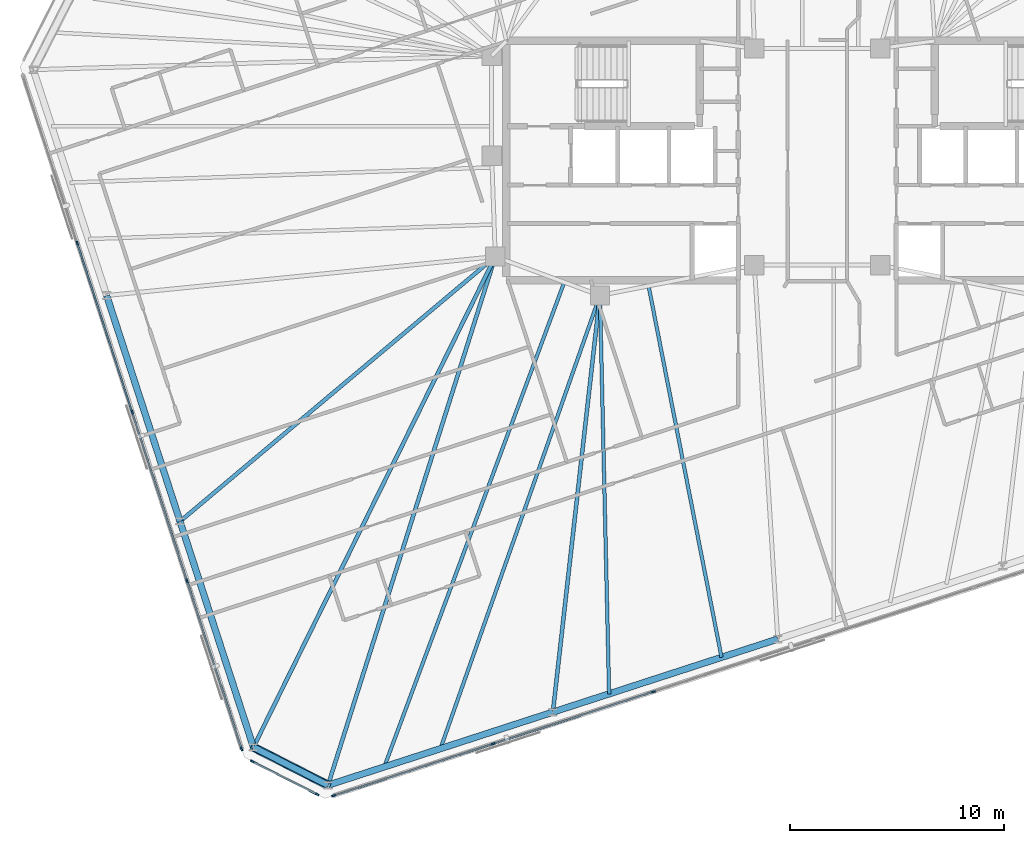
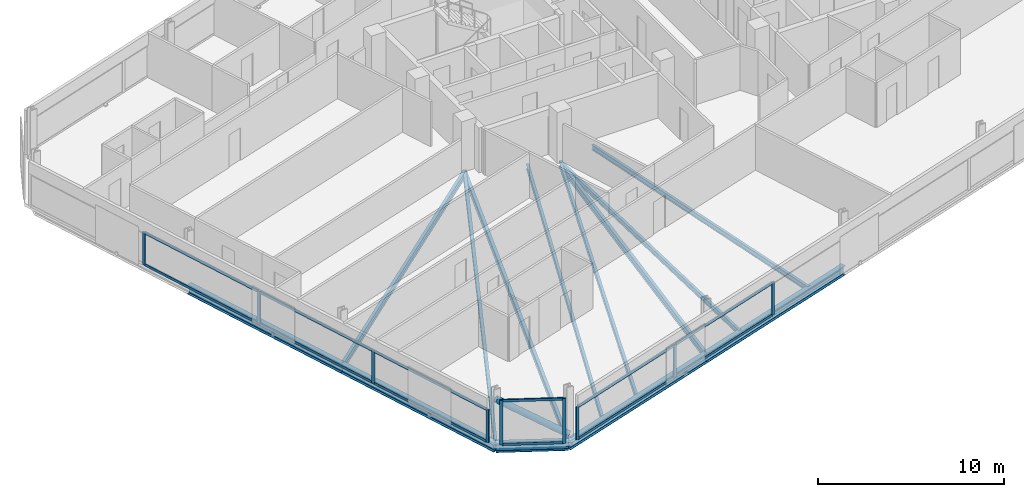
# One storey, part 5 of 19: 22 members, 13 beams, 3 elements without a shape of their own.
"""IFC4 building model written with IfcOpenShell, lengths in metres."""

from ifc_helpers import new_model, si_unit, direction, frame, origin, origin_2d, place, context, subcontext, project, spatial, rectangle, hollow_circle, i_section, extrude, material, material_profile, profile_set, type_object, element, aggregate, save


model = new_model("IFC4")

# Units and contexts
model_context = context("Model", 3, precision=1e-05, world=origin(), true_north=direction((0.0, 1.0)))
body_context = subcontext(model_context, "Body", "Model", "MODEL_VIEW")
ifc_project = project(units=[si_unit("LENGTHUNIT", "METRE"), si_unit("AREAUNIT", "SQUARE_METRE"), si_unit("VOLUMEUNIT", "CUBIC_METRE"), si_unit("PLANEANGLEUNIT", "RADIAN"), si_unit("MASSUNIT", "GRAM", prefix="KILO")], contexts=[model_context])

# Site, building, storey
site_placement = place(None, origin())
site = spatial("IfcSite", under=ifc_project, at=site_placement, CompositionType="ELEMENT")
building_placement = place(site_placement, origin())
building = spatial("IfcBuilding", under=site, at=building_placement, Name="Menara Jurai Vektor", CompositionType="ELEMENT")
storey_placement = place(building_placement, frame((0.0, 0.0, 251.10009765625)))
storey = spatial("IfcBuildingStorey", under=building, at=storey_placement, Name="L67", CompositionType="ELEMENT", Elevation=251.10009765625)

# Curtain wall, members
ifc_material_1 = material(Name="Anodised Pale Aluminium & Low-E Double Glazing", Category="aluminium")
curtain_wall_type = type_object("IfcCurtainWallType", Name="CW-BLK4", PredefinedType="NOTDEFINED", material=ifc_material_1)
curtain_wall_1_placement = place(storey_placement, origin())
curtain_wall_1 = element("IfcCurtainWall", 1, at=curtain_wall_1_placement, inside=storey, type_object=curtain_wall_type, Name="Unitised Curtain Wall L67 F01", PredefinedType="NOTDEFINED")
ifc_material_2 = material(Name="Anodised Pale Aluminium Mullion", Category="aluminium")
ifc_material_profile_1 = material_profile(ifc_material_2, rectangle(XDim=0.080078125, YDim=0.18994140625, at=origin_2d()), Name="ALU MUL 80x190")
ifc_profile_set_1 = profile_set([ifc_material_profile_1], Name="Anodised Pale Aluminium Mullion")
member_type_1 = type_object("IfcMemberType", Name="CW-BLK4-MUL", PredefinedType="MULLION", material=ifc_profile_set_1)
member_1_placement = place(storey_placement, frame((-22.649658203125, -29.743896484375, 0.0), z_axis=(0.0, 0.0, 1.0), x_axis=(-0.309017344167, 0.951056402641, 0.0)))
member_1 = element("IfcMember", 2, at=member_1_placement, type_object=member_type_1, Name="CW-04 mullion 1", PredefinedType="MULLION", context=body_context, shape_type="SweptSolid", body=[
    extrude(rectangle(XDim=0.080078125, YDim=0.18994140625, at=origin_2d()), origin(), (0.0, 0.0, 1.0), 2.1748046875),
])
member_2_placement = place(storey_placement, frame((-15.1826171875, -27.317626953125, 0.0), z_axis=(0.0, 0.0, 1.0), x_axis=(-0.309017344167, 0.951056402641, 0.0)))
member_2 = element("IfcMember", 3, at=member_2_placement, type_object=member_type_1, Name="CW-04 mullion 2", PredefinedType="MULLION", context=body_context, shape_type="SweptSolid", body=[
    extrude(rectangle(XDim=0.080078125, YDim=0.18994140625, at=origin_2d()), origin(), (0.0, 0.0, 1.0), 2.1748046875),
])
member_3_placement = place(storey_placement, frame((-7.677490234375, -24.879150390625, 0.0), z_axis=(0.0, 0.0, 1.0), x_axis=(-0.309017344167, 0.951056402641, 0.0)))
member_3 = element("IfcMember", 4, at=member_3_placement, type_object=member_type_1, Name="CW-04 mullion 3", PredefinedType="MULLION", context=body_context, shape_type="SweptSolid", body=[
    extrude(rectangle(XDim=0.080078125, YDim=0.18994140625, at=origin_2d()), origin(), (0.0, 0.0, 1.0), 2.1748046875),
])

curtain_wall_2_placement = place(storey_placement, origin())
curtain_wall_2 = element("IfcCurtainWall", 5, at=curtain_wall_2_placement, inside=storey, type_object=curtain_wall_type, Name="Unitised Curtain Wall L67 F07", PredefinedType="NOTDEFINED")
member_4_placement = place(storey_placement, frame((-34.650634765625, -3.876220703125, 0.0), z_axis=(0.0, 0.0, 1.0), x_axis=(0.95105668295, 0.309016481464, 0.0)))
member_4 = element("IfcMember", 6, at=member_4_placement, type_object=member_type_1, Name="CW-04 mullion 2", PredefinedType="MULLION", context=body_context, shape_type="SweptSolid", body=[
    extrude(rectangle(XDim=0.080078125, YDim=0.18994140625, at=origin_2d()), origin(), (0.0, 0.0, 1.0), 2.1748046875),
])
member_5_placement = place(storey_placement, frame((-32.082763671875, -11.779541015625, 0.0), z_axis=(0.0, 0.0, 1.0), x_axis=(0.95105668295, 0.309016481464, 0.0)))
member_5 = element("IfcMember", 7, at=member_5_placement, type_object=member_type_1, Name="CW-04 mullion 3", PredefinedType="MULLION", context=body_context, shape_type="SweptSolid", body=[
    extrude(rectangle(XDim=0.080078125, YDim=0.18994140625, at=origin_2d()), origin(), (0.0, 0.0, 1.0), 2.1748046875),
])
member_6_placement = place(storey_placement, frame((-29.514892578125, -19.682861328125, 0.0), z_axis=(0.0, 0.0, 1.0), x_axis=(0.95105668295, 0.309016481464, 0.0)))
member_6 = element("IfcMember", 8, at=member_6_placement, type_object=member_type_1, Name="CW-04 mullion 4", PredefinedType="MULLION", context=body_context, shape_type="SweptSolid", body=[
    extrude(rectangle(XDim=0.080078125, YDim=0.18994140625, at=origin_2d()), origin(), (0.0, 0.0, 1.0), 2.1748046875),
])
member_7_placement = place(storey_placement, frame((-26.959228515625, -27.548095703125, 0.0), z_axis=(0.0, 0.0, 1.0), x_axis=(0.95105668295, 0.309016481464, 0.0)))
member_7 = element("IfcMember", 9, at=member_7_placement, type_object=member_type_1, Name="CW-04 mullion 5", PredefinedType="MULLION", context=body_context, shape_type="SweptSolid", body=[
    extrude(rectangle(XDim=0.080078125, YDim=0.18994140625, at=origin_2d()), origin(), (0.0, 0.0, 1.0), 2.1748046875),
])

curtain_wall_3_placement = place(storey_placement, origin())
curtain_wall_3 = element("IfcCurtainWall", 10, at=curtain_wall_3_placement, inside=storey, type_object=curtain_wall_type, Name="Unitised Curtain Wall L67 F08", PredefinedType="NOTDEFINED")
member_8_placement = place(storey_placement, frame((-26.455322265625, -28.13818359375, 0.0), z_axis=(0.0, 0.0, 1.0), x_axis=(0.453988579828, 0.89100750243, 0.0)))
member_8 = element("IfcMember", 11, at=member_8_placement, type_object=member_type_1, Name="CW-04 mullion 1", PredefinedType="MULLION", context=body_context, shape_type="SweptSolid", body=[
    extrude(rectangle(XDim=0.080078125, YDim=0.18994140625, at=origin_2d()), origin(), (0.0, 0.0, 1.0), 2.94482421875),
])
member_9_placement = place(storey_placement, frame((-23.42333984375, -29.682861328125, 0.0), z_axis=(0.0, 0.0, 1.0), x_axis=(0.453988579828, 0.89100750243, 0.0)))
member_9 = element("IfcMember", 12, at=member_9_placement, type_object=member_type_1, Name="CW-04 mullion 2", PredefinedType="MULLION", context=body_context, shape_type="SweptSolid", body=[
    extrude(rectangle(XDim=0.080078125, YDim=0.18994140625, at=origin_2d()), origin(), (0.0, 0.0, 1.0), 2.94482421875),
])

# Member
ifc_material_3 = material(Name="Anodised Pale Aluminium Transom", Category="aluminium")
ifc_material_profile_2 = material_profile(ifc_material_3, rectangle(XDim=0.080078125, YDim=0.1650390625, at=origin_2d()), Name="ALU TRN 80x165")
ifc_profile_set_2 = profile_set([ifc_material_profile_2], Name="Anodised Pale Aluminium Transom")
member_type_2 = type_object("IfcMemberType", Name="CW-BLK4-TRN", PredefinedType="USERDEFINED", material=ifc_profile_set_2)
member_10_placement = place(storey_placement, frame((-22.61181640625, -29.7314453125, 0.039794921875), z_axis=(0.951062230089, 0.308999408573, 0.0), x_axis=(-0.308999408573, 0.951062230089, 0.0)))
member_10 = element("IfcMember", 13, at=member_10_placement, type_object=member_type_2, Name="CW-04 transom 1.1", ObjectType="TRANSOM", PredefinedType="USERDEFINED", context=body_context, shape_type="SweptSolid", body=[
    extrude(rectangle(XDim=0.080078125, YDim=0.1650390625, at=origin_2d()), origin(), (0.0, 0.0, 1.0), 7.771484375),
])

member_11_placement = place(storey_placement, frame((-22.61181640625, -29.7314453125, 2.135009765625), z_axis=(0.951062230089, 0.308999408573, 0.0), x_axis=(-0.308999408573, 0.951062230089, 0.0)))
member_11 = element("IfcMember", 14, at=member_11_placement, type_object=member_type_2, Name="CW-04 transom 1.2", ObjectType="TRANSOM", PredefinedType="USERDEFINED", context=body_context, shape_type="SweptSolid", body=[
    extrude(rectangle(XDim=0.080078125, YDim=0.1650390625, at=origin_2d()), origin(), (0.0, 0.0, 1.0), 7.771484375),
])

member_12_placement = place(storey_placement, frame((-15.14453125, -27.30517578125, 0.039794921875), z_axis=(0.95105634578, 0.309017519167, 0.0), x_axis=(-0.309017519167, 0.95105634578, 0.0)))
member_12 = element("IfcMember", 15, at=member_12_placement, type_object=member_type_2, Name="CW-04 transom 2.1", ObjectType="TRANSOM", PredefinedType="USERDEFINED", context=body_context, shape_type="SweptSolid", body=[
    extrude(rectangle(XDim=0.080078125, YDim=0.1650390625, at=origin_2d()), origin(), (0.0, 0.0, 1.0), 7.811279296875),
])

member_13_placement = place(storey_placement, frame((-15.14453125, -27.30517578125, 2.135009765625), z_axis=(0.95105634578, 0.309017519167, 0.0), x_axis=(-0.309017519167, 0.95105634578, 0.0)))
member_13 = element("IfcMember", 16, at=member_13_placement, type_object=member_type_2, Name="CW-04 transom 2.2", ObjectType="TRANSOM", PredefinedType="USERDEFINED", context=body_context, shape_type="SweptSolid", body=[
    extrude(rectangle(XDim=0.080078125, YDim=0.1650390625, at=origin_2d()), origin(), (0.0, 0.0, 1.0), 7.811279296875),
])

aggregate(curtain_wall_1, [member_1, member_2, member_3, member_10, member_11, member_12, member_13])

member_14_placement = place(storey_placement, frame((-34.638427734375, -3.914306640625, 0.039794921875), z_axis=(0.309018994408, -0.951055866443, 0.0), x_axis=(0.951055866443, 0.309018994408, 0.0)))
member_14 = element("IfcMember", 17, at=member_14_placement, type_object=member_type_2, Name="CW-04 transom 2.1", ObjectType="TRANSOM", PredefinedType="USERDEFINED", context=body_context, shape_type="SweptSolid", body=[
    extrude(rectangle(XDim=0.080078125, YDim=0.1650390625, at=origin_2d()), origin(), (0.0, 0.0, 1.0), 8.22998046875),
])

member_15_placement = place(storey_placement, frame((-34.638427734375, -3.914306640625, 2.135009765625), z_axis=(0.309018994408, -0.951055866443, 0.0), x_axis=(0.951055866443, 0.309018994408, 0.0)))
member_15 = element("IfcMember", 18, at=member_15_placement, type_object=member_type_2, Name="CW-04 transom 2.2", ObjectType="TRANSOM", PredefinedType="USERDEFINED", context=body_context, shape_type="SweptSolid", body=[
    extrude(rectangle(XDim=0.080078125, YDim=0.1650390625, at=origin_2d()), origin(), (0.0, 0.0, 1.0), 8.22998046875),
])

member_16_placement = place(storey_placement, frame((-32.0703125, -11.817626953125, 0.039794921875), z_axis=(0.309018994408, -0.951055866443, 0.0), x_axis=(0.951055866443, 0.309018994408, 0.0)))
member_16 = element("IfcMember", 19, at=member_16_placement, type_object=member_type_2, Name="CW-04 transom 3.1", ObjectType="TRANSOM", PredefinedType="USERDEFINED", context=body_context, shape_type="SweptSolid", body=[
    extrude(rectangle(XDim=0.080078125, YDim=0.1650390625, at=origin_2d()), origin(), (0.0, 0.0, 1.0), 8.22998046875),
])

member_17_placement = place(storey_placement, frame((-32.0703125, -11.817626953125, 2.135009765625), z_axis=(0.309018994408, -0.951055866443, 0.0), x_axis=(0.951055866443, 0.309018994408, 0.0)))
member_17 = element("IfcMember", 20, at=member_17_placement, type_object=member_type_2, Name="CW-04 transom 3.2", ObjectType="TRANSOM", PredefinedType="USERDEFINED", context=body_context, shape_type="SweptSolid", body=[
    extrude(rectangle(XDim=0.080078125, YDim=0.1650390625, at=origin_2d()), origin(), (0.0, 0.0, 1.0), 8.22998046875),
])

member_18_placement = place(storey_placement, frame((-29.50244140625, -19.720947265625, 0.039794921875), z_axis=(0.309010577384, -0.951058601278, 0.0), x_axis=(0.951058601278, 0.309010577384, 0.0)))
member_18 = element("IfcMember", 21, at=member_18_placement, type_object=member_type_2, Name="CW-04 transom 4.1", ObjectType="TRANSOM", PredefinedType="USERDEFINED", context=body_context, shape_type="SweptSolid", body=[
    extrude(rectangle(XDim=0.080078125, YDim=0.1650390625, at=origin_2d()), origin(), (0.0, 0.0, 1.0), 8.18994140625),
])

member_19_placement = place(storey_placement, frame((-29.50244140625, -19.720947265625, 2.135009765625), z_axis=(0.309010577384, -0.951058601278, 0.0), x_axis=(0.951058601278, 0.309010577384, 0.0)))
member_19 = element("IfcMember", 22, at=member_19_placement, type_object=member_type_2, Name="CW-04 transom 4.2", ObjectType="TRANSOM", PredefinedType="USERDEFINED", context=body_context, shape_type="SweptSolid", body=[
    extrude(rectangle(XDim=0.080078125, YDim=0.1650390625, at=origin_2d()), origin(), (0.0, 0.0, 1.0), 8.18994140625),
])

aggregate(curtain_wall_2, [member_4, member_5, member_6, member_7, member_14, member_15, member_16, member_17, member_18, member_19])

member_20_placement = place(storey_placement, frame((-26.419677734375, -28.15625, 0.039794921875), z_axis=(0.89100697374, -0.453989617444, 0.0), x_axis=(0.453989617444, 0.89100697374, 0.0)))
member_20 = element("IfcMember", 23, at=member_20_placement, type_object=member_type_2, Name="CW-04 transom 1.1", ObjectType="TRANSOM", PredefinedType="USERDEFINED", context=body_context, shape_type="SweptSolid", body=[
    extrude(rectangle(XDim=0.080078125, YDim=0.1650390625, at=origin_2d()), origin(), (0.0, 0.0, 1.0), 3.32275390625),
])

member_21_placement = place(storey_placement, frame((-26.419677734375, -28.15625, 2.90478515625), z_axis=(0.89100697374, -0.453989617444, 0.0), x_axis=(0.453989617444, 0.89100697374, 0.0)))
member_21 = element("IfcMember", 24, at=member_21_placement, type_object=member_type_2, Name="CW-04 transom 1.2", ObjectType="TRANSOM", PredefinedType="USERDEFINED", context=body_context, shape_type="SweptSolid", body=[
    extrude(rectangle(XDim=0.080078125, YDim=0.1650390625, at=origin_2d()), origin(), (0.0, 0.0, 1.0), 3.32275390625),
])

aggregate(curtain_wall_3, [member_8, member_9, member_20, member_21])

# Beams
ifc_material_4 = material(Name="Steel S355", Category="steel")
ifc_material_profile_3 = material_profile(ifc_material_4, i_section(OverallWidth=0.18505859375, OverallDepth=0.429931640625, WebThickness=0.010986328125, FlangeThickness=0.01806640625, at=origin_2d()), Name="PG 430x185x76")
ifc_profile_set_3 = profile_set([ifc_material_profile_3], Name="Steel S355")
beam_type_1 = type_object("IfcBeamType", Name="STR-BM-430", PredefinedType="BEAM", material=ifc_profile_set_3)
beam_1_placement = place(storey_placement, frame((-22.912841796875, -29.2509765625, -0.440185546875), z_axis=(0.301715059084, 0.953398145122, 0.0), x_axis=(-0.953398145122, 0.301715059084, 0.0)))
element("IfcBeam", 25, at=beam_1_placement, inside=storey, type_object=beam_type_1, Name="Radial Floor Girder L67-S1", PredefinedType="BEAM", context=body_context, shape_type="SweptSolid", body=[
    extrude(i_section(OverallWidth=0.18505859375, OverallDepth=0.429931640625, WebThickness=0.010986328125, FlangeThickness=0.01806640625, at=origin_2d()), origin(), (0.0, 0.0, 1.0), 25.960693359375),
])
beam_2_placement = place(storey_placement, frame((-12.383544921875, -25.829833984375, -0.440185546875), z_axis=(0.112235588534, 0.993681625404, 0.0), x_axis=(-0.993681625404, 0.112235588534, 0.0)))
element("IfcBeam", 26, at=beam_2_placement, inside=storey, type_object=beam_type_1, Name="Radial Floor Girder L67-S2", PredefinedType="BEAM", context=body_context, shape_type="SweptSolid", body=[
    extrude(i_section(OverallWidth=0.18505859375, OverallDepth=0.429931640625, WebThickness=0.010986328125, FlangeThickness=0.01806640625, at=origin_2d()), origin(), (0.0, 0.0, 1.0), 19.6337890625),
])
beam_3_placement = place(storey_placement, frame((-29.841796875, -16.896728515625, -0.440185546875), z_axis=(0.765784449649, 0.64309733064, 0.0), x_axis=(-0.64309733064, 0.765784449649, 0.0)))
element("IfcBeam", 27, at=beam_3_placement, inside=storey, type_object=beam_type_1, Name="Radial Floor Girder L67-W3", PredefinedType="BEAM", context=body_context, shape_type="SweptSolid", body=[
    extrude(i_section(OverallWidth=0.18505859375, OverallDepth=0.429931640625, WebThickness=0.010986328125, FlangeThickness=0.01806640625, at=origin_2d()), origin(), (0.0, 0.0, 1.0), 19.276611328125),
])
beam_4_placement = place(storey_placement, frame((-26.406005859375, -27.47119140625, -0.440185546875), z_axis=(0.442219272094, 0.896906971424, 0.0), x_axis=(-0.896906971424, 0.442219272094, 0.0)))
element("IfcBeam", 28, at=beam_4_placement, inside=storey, type_object=beam_type_1, Name="Radial Floor Girder L67-W4", PredefinedType="BEAM", context=body_context, shape_type="SweptSolid", body=[
    extrude(i_section(OverallWidth=0.18505859375, OverallDepth=0.429931640625, WebThickness=0.010986328125, FlangeThickness=0.01806640625, at=origin_2d()), origin(), (0.0, 0.0, 1.0), 25.611572265625),
])

# Member
ifc_material_5 = material(Name="Steel S460", Category="steel")
ifc_material_profile_4 = material_profile(ifc_material_5, hollow_circle(Radius=0.203125, WallThickness=0.01611328125, at=origin_2d()), Name="CHS 406.4x16")
ifc_profile_set_4 = profile_set([ifc_material_profile_4], Name="Steel S460")
member_type_3 = type_object("IfcMemberType", Name="STR-BR-406", PredefinedType="BRACE", material=ifc_profile_set_4)
member_22_placement = place(storey_placement, frame((-22.912841796875, -29.2509765625, 0.14990234375), z_axis=(-0.756029004747, 0.385200688049, 0.529188599563), x_axis=(-0.453976155955, -0.891013832566, 0.0)))
element("IfcMember", 29, at=member_22_placement, inside=storey, type_object=member_type_3, Name="Exoskeleton Corner Brace L67-4", PredefinedType="BRACE", context=body_context, shape_type="SweptSolid", body=[
    extrude(hollow_circle(Radius=0.203125, WallThickness=0.01611328125, at=origin_2d()), origin(), (0.0, 0.0, 1.0), 4.620361328125),
])

# Beams
ifc_material_profile_5 = material_profile(ifc_material_4, i_section(OverallWidth=0.1650390625, OverallDepth=0.330078125, WebThickness=0.009033203125, FlangeThickness=0.013916015625, at=origin_2d()), Name="PG 330x165x46")
ifc_profile_set_5 = profile_set([ifc_material_profile_5], Name="Steel S355")
beam_type_2 = type_object("IfcBeamType", Name="STR-JS-330", PredefinedType="JOIST", material=ifc_profile_set_5)
beam_5_placement = place(storey_placement, frame((-20.280517578125, -28.395751953125, -0.39013671875), z_axis=(0.348182225555, 0.937426870645, 0.0), x_axis=(-0.937426870645, 0.348182225555, 0.0)))
element("IfcBeam", 30, at=beam_5_placement, inside=storey, type_object=beam_type_2, Name="Radial Secondary Floor Joist L67-JS01", PredefinedType="JOIST", context=body_context, shape_type="SweptSolid", body=[
    extrude(i_section(OverallWidth=0.1650390625, OverallDepth=0.330078125, WebThickness=0.009033203125, FlangeThickness=0.013916015625, at=origin_2d()), origin(), (0.0, 0.0, 1.0), 24.211181640625),
])
beam_6_placement = place(storey_placement, frame((-17.648193359375, -27.540283203125, -0.39013671875), z_axis=(0.331980963321, 0.943286085974, 0.0), x_axis=(-0.943286085974, 0.331980963321, 0.0)))
element("IfcBeam", 31, at=beam_6_placement, inside=storey, type_object=beam_type_2, Name="Radial Secondary Floor Joist L67-JS02", PredefinedType="JOIST", context=body_context, shape_type="SweptSolid", body=[
    extrude(i_section(OverallWidth=0.1650390625, OverallDepth=0.330078125, WebThickness=0.009033203125, FlangeThickness=0.013916015625, at=origin_2d()), origin(), (0.0, 0.0, 1.0), 22.49609375),
])
beam_7_placement = place(storey_placement, frame((-9.751220703125, -24.974609375, -0.39013671875), z_axis=(-0.022975519442, 0.999736027913, 0.0), x_axis=(-0.999736027913, -0.022975519442, 0.0)))
element("IfcBeam", 32, at=beam_7_placement, inside=storey, type_object=beam_type_2, Name="Radial Secondary Floor Joist L67-JS03", PredefinedType="JOIST", context=body_context, shape_type="SweptSolid", body=[
    extrude(i_section(OverallWidth=0.1650390625, OverallDepth=0.330078125, WebThickness=0.009033203125, FlangeThickness=0.013916015625, at=origin_2d()), origin(), (0.0, 0.0, 1.0), 18.659423828125),
])
beam_8_placement = place(storey_placement, frame((-4.486572265625, -23.263916015625, -0.39013671875), z_axis=(-0.192724225092, 0.981252960792, 0.0), x_axis=(-0.981252960792, -0.192724225092, 0.0)))
element("IfcBeam", 33, at=beam_8_placement, inside=storey, type_object=beam_type_2, Name="Radial Secondary Floor Joist L67-JS04", PredefinedType="JOIST", context=body_context, shape_type="SweptSolid", body=[
    extrude(i_section(OverallWidth=0.1650390625, OverallDepth=0.330078125, WebThickness=0.009033203125, FlangeThickness=0.013916015625, at=origin_2d()), origin(), (0.0, 0.0, 1.0), 17.7236328125),
])
ifc_material_profile_6 = material_profile(ifc_material_4, i_section(OverallWidth=0.306884765625, OverallDepth=0.6201171875, WebThickness=0.013916015625, FlangeThickness=0.02392578125, FilletRadius=0.01708984375, at=origin_2d()), Name="UKB 610x305x179")
ifc_profile_set_6 = profile_set([ifc_material_profile_6], Name="Steel S355")
beam_type_3 = type_object("IfcBeamType", Name="STR-SP-610", PredefinedType="SPANDREL", material=ifc_profile_set_6)
for number, where, z_axis, x_axis, name in (
    (34, (-22.912841796875, -29.2509765625, -0.53515625), (0.951057401967, 0.309014268544, 0.0), (-0.309014268544, 0.951057401967, 0.0), "Exoskeleton Spandrel Beam L67-01"),
    (35, (-12.383544921875, -25.829833984375, -0.53515625), (0.951057401967, 0.309014268544, 0.0), (-0.309014268544, 0.951057401967, 0.0), "Exoskeleton Spandrel Beam L67-02"),
):
    element("IfcBeam", number, at=place(storey_placement, frame(where, z_axis=z_axis, x_axis=x_axis)), inside=storey, type_object=beam_type_3, Name=name, PredefinedType="SPANDREL", context=body_context, shape_type="SweptSolid", body=[
        extrude(i_section(OverallWidth=0.306884765625, OverallDepth=0.6201171875, WebThickness=0.013916015625, FlangeThickness=0.02392578125, FilletRadius=0.01708984375, at=origin_2d()), origin(), (0.0, 0.0, 1.0), 11.071044921875),
    ])
beam_9_placement = place(storey_placement, frame((-33.277587890625, -6.322509765625, -0.53515625), z_axis=(0.309018545885, -0.951056012178, 0.0), x_axis=(0.951056012178, 0.309018545885, 0.0)))
element("IfcBeam", 36, at=beam_9_placement, inside=storey, type_object=beam_type_3, Name="Exoskeleton Spandrel Beam L67-18", PredefinedType="SPANDREL", context=body_context, shape_type="SweptSolid", body=[
    extrude(i_section(OverallWidth=0.306884765625, OverallDepth=0.6201171875, WebThickness=0.013916015625, FlangeThickness=0.02392578125, FilletRadius=0.01708984375, at=origin_2d()), origin(), (0.0, 0.0, 1.0), 11.118408203125),
])
beam_10_placement = place(storey_placement, frame((-29.841796875, -16.896728515625, -0.53515625), z_axis=(0.309012092614, -0.95105810896, 0.0), x_axis=(0.95105810896, 0.309012092614, 0.0)))
element("IfcBeam", 37, at=beam_10_placement, inside=storey, type_object=beam_type_3, Name="Exoskeleton Spandrel Beam L67-19", PredefinedType="SPANDREL", context=body_context, shape_type="SweptSolid", body=[
    extrude(i_section(OverallWidth=0.306884765625, OverallDepth=0.6201171875, WebThickness=0.013916015625, FlangeThickness=0.02392578125, FilletRadius=0.01708984375, at=origin_2d()), origin(), (0.0, 0.0, 1.0), 11.11865234375),
])
beam_11_placement = place(storey_placement, frame((-26.406005859375, -27.47119140625, -0.53515625), z_axis=(0.891013832566, -0.453976155955, 0.0), x_axis=(0.453976155955, 0.891013832566, 0.0)))
element("IfcBeam", 38, at=beam_11_placement, inside=storey, type_object=beam_type_3, Name="Exoskeleton Spandrel Beam L67-20", PredefinedType="SPANDREL", context=body_context, shape_type="SweptSolid", body=[
    extrude(i_section(OverallWidth=0.306884765625, OverallDepth=0.6201171875, WebThickness=0.013916015625, FlangeThickness=0.02392578125, FilletRadius=0.01708984375, at=origin_2d()), origin(), (0.0, 0.0, 1.0), 3.92041015625),
])

save(model, "model.ifc")
